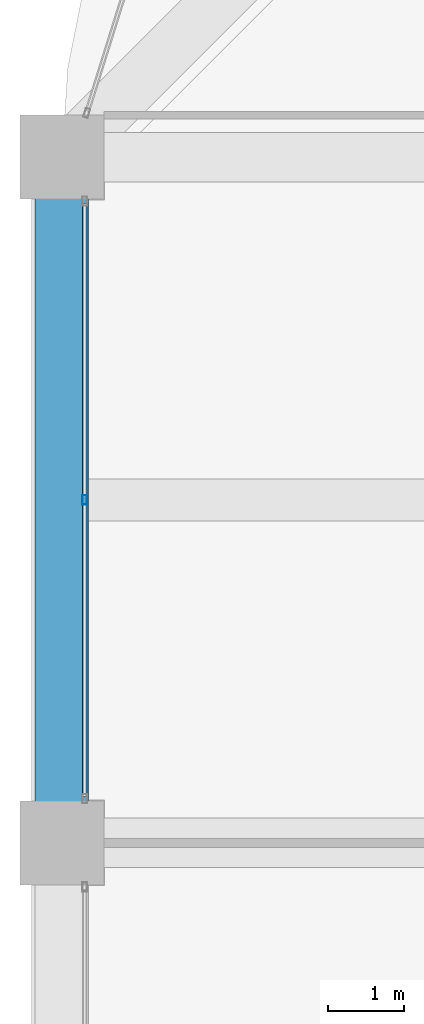
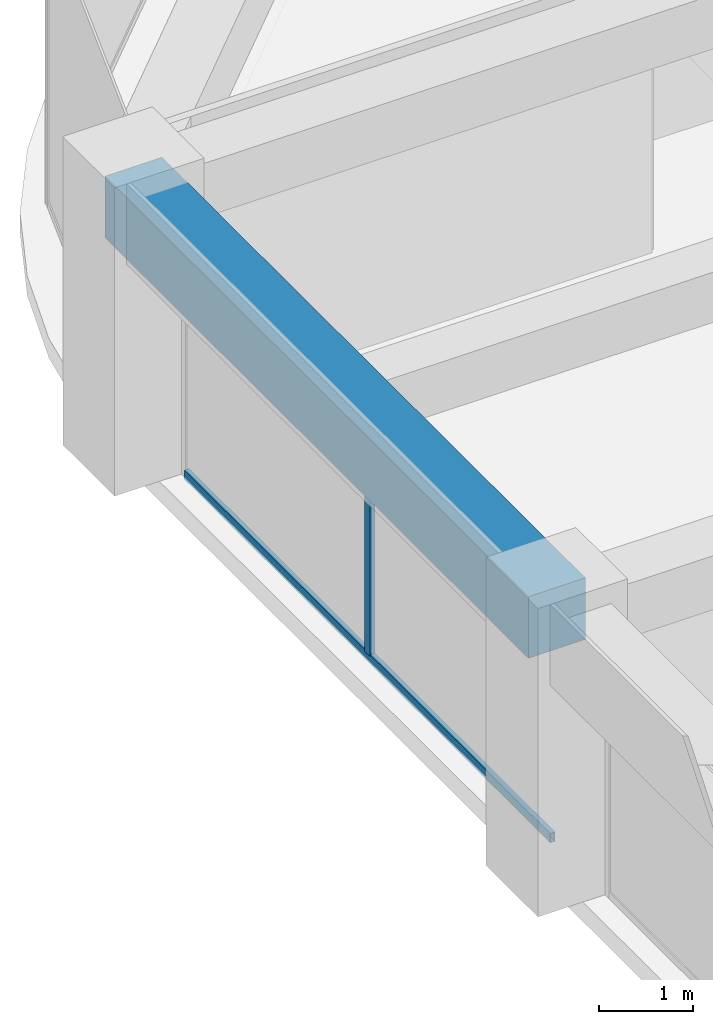
# One storey, part 16 of 44: 2 members, 1 beam, 1 element without a shape of its own.
"""IFC4 building model written with IfcOpenShell, lengths in metres."""

import ifcopenshell
import ifcopenshell.guid

model = None  # the IFC model being written
_history = None  # IfcOwnerHistory: only IFC2X3 demands one
_inside = {}  # id of a spatial element -> (the spatial element, [elements in it])
_under = {}  # id of a project, library or spatial element -> (it, [spatial elements below it])
_declared = {}  # id of a project -> (the project, [libraries it declares])
_typed = {}  # id of a type object -> (the type object, [elements of that type])
_made_of = {}  # id of a material, layer set ... -> (it, [elements and type objects made of it])


def new_model(schema):
    """Start an empty IFC model of exactly this schema.

    Asked for "IFC4X3", IfcOpenShell would pick the latest addendum, in which some entities
    have other attributes; the version numbers below select the first issue.
    IFC2X3 requires an IfcOwnerHistory on every rooted entity: one is made here for all.
    """
    global model, _history
    if schema == "IFC4X3":
        model = ifcopenshell.file(schema_version=(4, 3, 0, 0))
    else:
        model = ifcopenshell.file(schema=schema)
    _inside.clear()
    _under.clear()
    _declared.clear()
    _typed.clear()
    _made_of.clear()
    _history = None
    if model.schema == "IFC2X3":
        org = make("IfcOrganization", Name="unknown")
        user = make(
            "IfcPersonAndOrganization",
            ThePerson=make("IfcPerson", FamilyName="unknown"),
            TheOrganization=org,
        )
        app = make(
            "IfcApplication",
            ApplicationDeveloper=org,
            Version="unknown",
            ApplicationFullName="unknown",
            ApplicationIdentifier="unknown",
        )
        _history = make(
            "IfcOwnerHistory",
            OwningUser=user,
            OwningApplication=app,
            ChangeAction="ADDED",
            CreationDate=0,
        )
    return model


def make(cls, **values):
    """One entity of the class cls with the attributes given. An attribute that is None is left unset."""
    return model.create_entity(
        cls, **{name: value for name, value in values.items() if value is not None}
    )


def rooted(cls, **values):
    """An entity with a GlobalId (a new one), such as an element, a storey or a relation."""
    return make(cls, GlobalId=ifcopenshell.guid.new(), OwnerHistory=_history, **values)


def si_unit(unit_type, name, prefix=None):
    """IfcSIUnit, for example si_unit("LENGTHUNIT", "METRE", prefix="MILLI")."""
    return make("IfcSIUnit", UnitType=unit_type, Prefix=prefix, Name=name)


def assignment(units):
    """IfcUnitAssignment: the units of a project."""
    return None if units is None else make("IfcUnitAssignment", Units=units)


def point(xyz):
    """IfcCartesianPoint."""
    return None if xyz is None else make("IfcCartesianPoint", Coordinates=xyz)


def direction(xyz):
    """IfcDirection."""
    return None if xyz is None else make("IfcDirection", DirectionRatios=xyz)


def frame(location, z_axis=None, x_axis=None):
    """IfcAxis2Placement3D, a coordinate frame: its origin and axes. An axis left out is left unset."""
    return make(
        "IfcAxis2Placement3D",
        Location=point(location),
        Axis=direction(z_axis),
        RefDirection=direction(x_axis),
    )


def frame_2d(location, x_axis=None):
    """IfcAxis2Placement2D, a coordinate frame in the plane: its origin and x axis."""
    return make(
        "IfcAxis2Placement2D", Location=point(location), RefDirection=direction(x_axis)
    )


def origin():
    """The frame at (0, 0, 0) with its axes left unset."""
    return frame((0.0, 0.0, 0.0))


def origin_2d():
    """The frame at (0, 0) in the plane with its x axis left unset."""
    return frame_2d((0.0, 0.0))


def place(relative_to, where):
    """IfcLocalPlacement: puts the frame where relative to a parent placement (None: the world)."""
    return make(
        "IfcLocalPlacement", PlacementRelTo=relative_to, RelativePlacement=where
    )


def context(
    kind, dimensions, precision=None, world=None, true_north=None, identifier=None
):
    """IfcGeometricRepresentationContext, for example the 3D "Model" context."""
    return make(
        "IfcGeometricRepresentationContext",
        ContextIdentifier=identifier,
        ContextType=kind,
        CoordinateSpaceDimension=dimensions,
        Precision=precision,
        WorldCoordinateSystem=world,
        TrueNorth=true_north,
    )


def subcontext(parent, identifier, kind, view, scale=None):
    """IfcGeometricRepresentationSubContext, for example "Body" below "Model"."""
    return make(
        "IfcGeometricRepresentationSubContext",
        ContextIdentifier=identifier,
        ContextType=kind,
        ParentContext=parent,
        TargetScale=scale,
        TargetView=view,
    )


def project(units=None, contexts=None):
    """IfcProject with its units and contexts."""
    return rooted(
        "IfcProject",
        Name="project",
        RepresentationContexts=contexts,
        UnitsInContext=assignment(units),
    )


def spatial(cls, under=None, at=None, **own):
    """A site, building, storey or space (cls), placed at a placement, below another one or the project."""
    s = rooted(cls, ObjectPlacement=at, **own)
    if under is not None:
        _under.setdefault(under.id(), (under, []))[1].append(s)
    return s


def profile(cls, at=None, kind="AREA", **sizes):
    """A parametric profile (cls). Its sizes go by their IFC names, for example OverallWidth=200.0."""
    return make(cls, ProfileType=kind, Position=at, **sizes)


def rectangle(**sizes):
    """IfcRectangleProfileDef."""
    return profile("IfcRectangleProfileDef", **sizes)


def hollow_rectangle(**sizes):
    """IfcRectangleHollowProfileDef."""
    return profile("IfcRectangleHollowProfileDef", **sizes)


def extrude(swept, where, along, depth):
    """IfcExtrudedAreaSolid: the profile swept, set in the frame where, extruded along a direction by depth."""
    return make(
        "IfcExtrudedAreaSolid",
        SweptArea=swept,
        Position=where,
        ExtrudedDirection=direction(along),
        Depth=depth,
    )


def shape(context_of_items, identifier, shape_type, items):
    """IfcShapeRepresentation: the items that make up one representation, for example the "Body"."""
    return make(
        "IfcShapeRepresentation",
        ContextOfItems=context_of_items,
        RepresentationIdentifier=identifier,
        RepresentationType=shape_type,
        Items=items,
    )


def material(Name=None, Category=None):
    """IfcMaterial."""
    return make("IfcMaterial", Name=Name, Category=Category)


def material_profile(
    of_material, cross_section, Name=None, Category=None, Priority=None
):
    """IfcMaterialProfile: a cross section and its material."""
    return make(
        "IfcMaterialProfile",
        Name=Name,
        Material=of_material,
        Profile=cross_section,
        Priority=Priority,
        Category=Category,
    )


def profile_set(profiles, Name=None, composite=None):
    """IfcMaterialProfileSet."""
    return make(
        "IfcMaterialProfileSet",
        Name=Name,
        MaterialProfiles=profiles,
        CompositeProfile=composite,
    )


def made_of(thing, what):
    """Note that an element or type object is made of a material, layer set ...; save() writes the relation."""
    if what is not None:
        _made_of.setdefault(what.id(), (what, []))[1].append(thing)
    return thing


def type_object(cls, material=None, **own):
    """A type object (cls), such as IfcWallType, which elements share."""
    return made_of(rooted(cls, **own), material)


def element(
    cls,
    number,
    at=None,
    inside=None,
    cuts=None,
    type_object=None,
    material=None,
    context=None,
    identifier="Body",
    shape_type=None,
    held_by="IfcProductDefinitionShape",
    body=None,
    shapes=None,
    **own,
):
    """One element of the class cls, such as IfcWall. Its Tag is "e" and its number.

    at: its placement. inside: the storey or other place that contains it. cuts: it is an
    opening in that element (IfcRelVoidsElement). A single representation is given by context,
    identifier, shape_type and body (its items); several are given by shapes. held_by: the class
    of the entity that holds the representations. save() writes the other relations.
    """
    e = rooted(cls, Tag="e%d" % number, ObjectPlacement=at, **own)
    if body is not None:
        shapes = [shape(context, identifier, shape_type, body)]
    if shapes is not None:
        e.Representation = make(held_by, Representations=shapes)
    if inside is not None:
        _inside.setdefault(inside.id(), (inside, []))[1].append(e)
    if cuts is not None:
        rooted(
            "IfcRelVoidsElement", RelatingBuildingElement=cuts, RelatedOpeningElement=e
        )
    if type_object is not None:
        _typed.setdefault(type_object.id(), (type_object, []))[1].append(e)
    return made_of(e, material)


def aggregate(whole, parts):
    """IfcRelAggregates: a whole, such as a stair, and the parts it consists of."""
    return rooted("IfcRelAggregates", RelatingObject=whole, RelatedObjects=parts)


def save(model, path):
    """Write the relations noted so far, then the file.

    IfcRelAggregates (storeys below a building ...), IfcRelContainedInSpatialStructure (elements
    in a storey), IfcRelDefinesByType, IfcRelAssociatesMaterial and IfcRelDeclares: one each for
    every whole, place, type object, material and project.
    """
    for whole, parts in _under.values():
        aggregate(whole, parts)
    for where, things in _inside.values():
        rooted(
            "IfcRelContainedInSpatialStructure",
            RelatedElements=things,
            RelatingStructure=where,
        )
    for kind, things in _typed.values():
        rooted("IfcRelDefinesByType", RelatedObjects=things, RelatingType=kind)
    for what, things in _made_of.values():
        rooted("IfcRelAssociatesMaterial", RelatedObjects=things, RelatingMaterial=what)
    for by, libraries in _declared.values():
        rooted("IfcRelDeclares", RelatingContext=by, RelatedDefinitions=libraries)
    model.write(path)


model = new_model("IFC4")

# Units and contexts
model_context = context("Model", 3, precision=1e-05, world=origin(), true_north=direction((0.0, 1.0)))
body_context = subcontext(model_context, "Body", "Model", "MODEL_VIEW")
ifc_project = project(units=[si_unit("LENGTHUNIT", "METRE"), si_unit("AREAUNIT", "SQUARE_METRE"), si_unit("VOLUMEUNIT", "CUBIC_METRE"), si_unit("PLANEANGLEUNIT", "RADIAN"), si_unit("MASSUNIT", "GRAM", prefix="KILO")], contexts=[model_context])

# Site, building, storey
site_placement = place(None, origin())
site = spatial("IfcSite", under=ifc_project, at=site_placement, CompositionType="ELEMENT")
building_placement = place(site_placement, origin())
building = spatial("IfcBuilding", under=site, at=building_placement, Name="Zorevar Civic Tower", CompositionType="ELEMENT")
storey_placement = place(building_placement, frame((0.0, 0.0, 275.39990234375)))
storey = spatial("IfcBuildingStorey", under=building, at=storey_placement, Name="L67", CompositionType="ELEMENT", Elevation=275.39990234375)

# Curtain wall, members
ifc_material_1 = material(Name="Dark grey solar-control glass in black aluminium frame", Category="aluminium")
curtain_wall_type = type_object("IfcCurtainWallType", Name="Curtain wall CW5 top zone", PredefinedType="NOTDEFINED", material=ifc_material_1)
curtain_wall_placement = place(storey_placement, origin())
curtain_wall = element("IfcCurtainWall", 1, at=curtain_wall_placement, inside=storey, type_object=curtain_wall_type, Name="CW5 L67", PredefinedType="NOTDEFINED")
ifc_material_2 = material(Name="Aluminium, black anodised", Category="aluminium")
ifc_material_profile_1 = material_profile(ifc_material_2, hollow_rectangle(XDim=0.06005859375, YDim=0.1201171875, WallThickness=0.0029296875, at=origin_2d()), Name="AL 120x60x3")
ifc_profile_set_1 = profile_set([ifc_material_profile_1], Name="Aluminium, black anodised")
member_type_1 = type_object("IfcMemberType", Name="CW5 mullion AL 120x60x3", PredefinedType="MULLION", material=ifc_profile_set_1)
member_1_placement = place(storey_placement, frame((9.300048828125, 31.5, 0.06005859375), z_axis=(0.0, 0.0, 1.0), x_axis=(-1.0, 0.0, 0.0)))
member_1 = element("IfcMember", 2, at=member_1_placement, type_object=member_type_1, Name="CW5 mullion 2", PredefinedType="MULLION", context=body_context, shape_type="SweptSolid", body=[
    extrude(hollow_rectangle(XDim=0.06005859375, YDim=0.1201171875, WallThickness=0.0029296875, at=origin_2d()), origin(), (0.0, 0.0, 1.0), 2.89013671875),
])
ifc_material_3 = material(Name="Aluminium, black anodised", Category="aluminium")
ifc_material_profile_2 = material_profile(ifc_material_3, hollow_rectangle(XDim=0.06005859375, YDim=0.1201171875, WallThickness=0.0029296875, at=origin_2d()), Name="AL 120x60x3")
ifc_profile_set_2 = profile_set([ifc_material_profile_2], Name="Aluminium, black anodised")
member_type_2 = type_object("IfcMemberType", Name="CW5 transom AL 120x60x3", PredefinedType="USERDEFINED", material=ifc_profile_set_2)
member_2_placement = place(storey_placement, frame((9.300048828125, 27.610107421875, 0.030029296875), z_axis=(0.0, 1.0, 0.0), x_axis=(-1.0, 0.0, 0.0)))
member_2 = element("IfcMember", 3, at=member_2_placement, type_object=member_type_2, Name="CW5 sill transom", ObjectType="TRANSOM", PredefinedType="USERDEFINED", context=body_context, shape_type="SweptSolid", body=[
    extrude(hollow_rectangle(XDim=0.06005859375, YDim=0.1201171875, WallThickness=0.0029296875, at=origin_2d()), origin(), (0.0, 0.0, 1.0), 7.77978515625),
])
aggregate(curtain_wall, [member_1, member_2])

# Beam
ifc_material_4 = material(Name="Concrete C50/60", Category="concrete")
ifc_material_profile_3 = material_profile(ifc_material_4, rectangle(XDim=0.699951171875, YDim=0.800048828125, at=origin_2d()), Name="RC 700x800")
ifc_profile_set_3 = profile_set([ifc_material_profile_3], Name="Concrete C50/60")
beam_type = type_object("IfcBeamType", Name="Edge beam RC 700x800", PredefinedType="SPANDREL", material=ifc_profile_set_3)
beam_placement = place(storey_placement, frame((9.0, 27.0, 3.35009765625), z_axis=(0.0, 1.0, 0.0), x_axis=(-1.0, 0.0, 0.0)))
element("IfcBeam", 4, at=beam_placement, inside=storey, type_object=beam_type, Name="Edge beam L68", PredefinedType="SPANDREL", context=body_context, shape_type="SweptSolid", body=[
    extrude(rectangle(XDim=0.699951171875, YDim=0.800048828125, at=origin_2d()), origin(), (0.0, 0.0, 1.0), 9.0),
])

save(model, "model.ifc")
